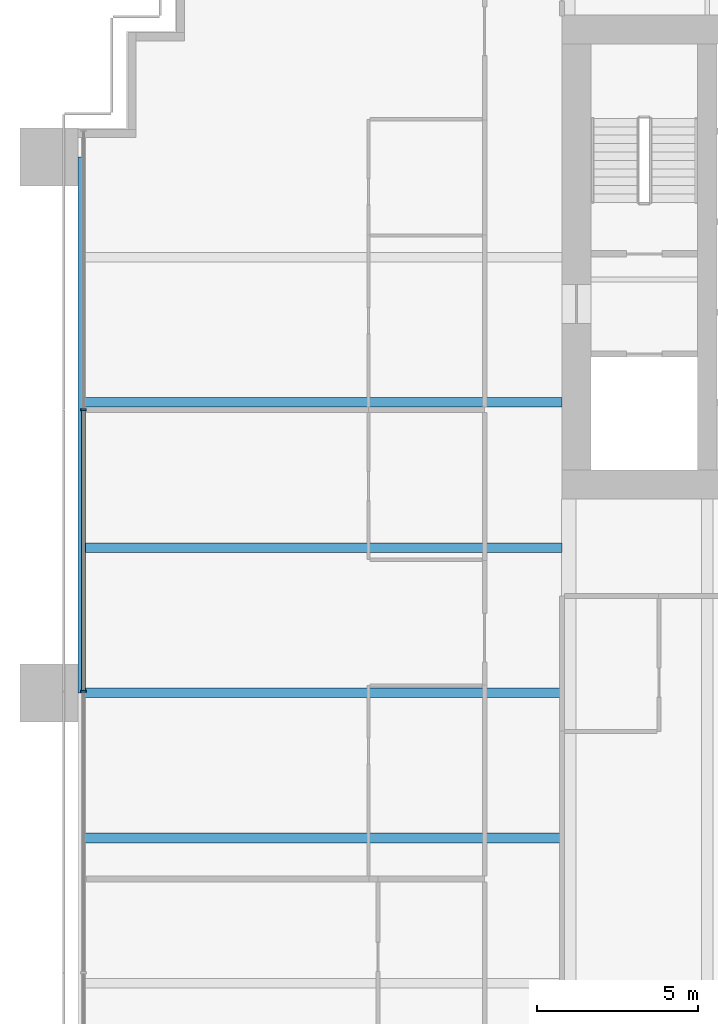
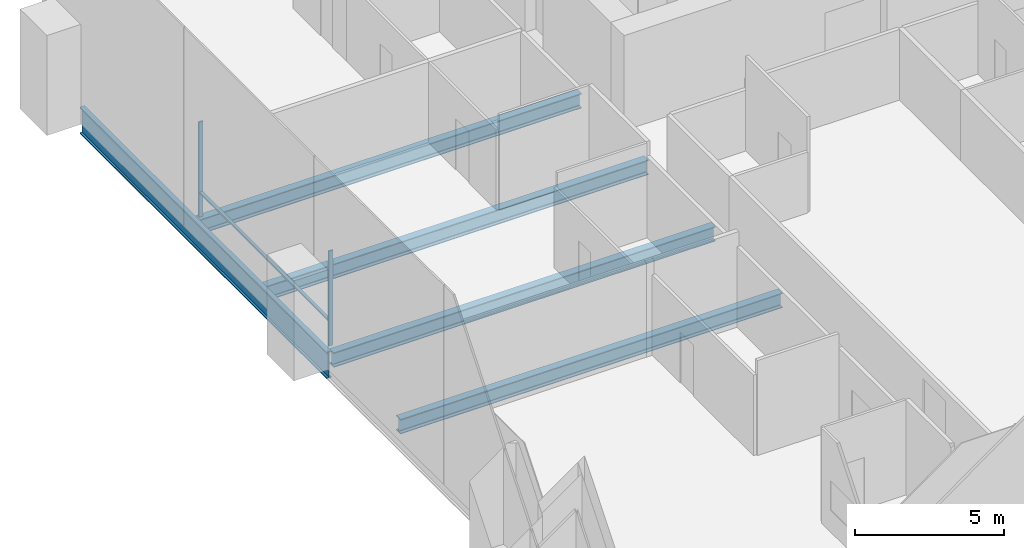
# One storey, part 4 of 18: 5 beams, 3 members, 1 element without a shape of its own.
"""IFC4 building model written with IfcOpenShell, lengths in metres."""

from ifc_helpers import new_model, si_unit, direction, frame, origin, origin_2d, place, context, subcontext, project, spatial, rectangle, i_section, extrude, material, material_profile, profile_set, type_object, element, aggregate, save


model = new_model("IFC4")

# Units and contexts
model_context = context("Model", 3, precision=1e-05, world=origin(), true_north=direction((0.0, 1.0)))
body_context = subcontext(model_context, "Body", "Model", "MODEL_VIEW")
ifc_project = project(units=[si_unit("LENGTHUNIT", "METRE"), si_unit("AREAUNIT", "SQUARE_METRE"), si_unit("VOLUMEUNIT", "CUBIC_METRE"), si_unit("PLANEANGLEUNIT", "RADIAN"), si_unit("MASSUNIT", "GRAM", prefix="KILO")], contexts=[model_context])

# Site, building, storey
site_placement = place(None, origin())
site = spatial("IfcSite", under=ifc_project, at=site_placement, CompositionType="ELEMENT")
building_placement = place(site_placement, origin())
building = spatial("IfcBuilding", under=site, at=building_placement, Name="Rattan Terrace Tower", CompositionType="ELEMENT")
storey_placement = place(building_placement, frame((0.0, 0.0, 57.0)))
storey = spatial("IfcBuildingStorey", under=building, at=storey_placement, Name="L12", CompositionType="ELEMENT", Elevation=57.0)

# Curtain wall, members
ifc_material_1 = material(Name="Aluminium and glass", Category="aluminium")
curtain_wall_type = type_object("IfcCurtainWallType", Name="Facade Unitised Curtain Wall", PredefinedType="NOTDEFINED", material=ifc_material_1)
curtain_wall_placement = place(storey_placement, origin())
curtain_wall = element("IfcCurtainWall", 1, at=curtain_wall_placement, inside=storey, type_object=curtain_wall_type, Name="Curtain wall L12-3", PredefinedType="NOTDEFINED")
ifc_material_2 = material(Name="Aluminium", Category="aluminium")
ifc_material_profile_1 = material_profile(ifc_material_2, rectangle(XDim=0.06005859375, YDim=0.159912109375, at=origin_2d()), Name="Aluminium 60x160")
ifc_profile_set_1 = profile_set([ifc_material_profile_1], Name="Aluminium")
member_type_1 = type_object("IfcMemberType", Name="Facade CW Mullion 60x160", PredefinedType="MULLION", material=ifc_profile_set_1)
member_1_placement = place(storey_placement, frame((-32.830078125, -4.72705078125, 0.0), z_axis=(0.0, 0.0, 1.0), x_axis=(0.0, -1.0, 0.0)))
member_1 = element("IfcMember", 2, at=member_1_placement, type_object=member_type_1, Name="Mullion cwl-L12-003.2", PredefinedType="MULLION", context=body_context, shape_type="SweptSolid", body=[
    extrude(rectangle(XDim=0.06005859375, YDim=0.159912109375, at=origin_2d()), origin(), (0.0, 0.0, 1.0), 3.89990234375),
])
member_2_placement = place(storey_placement, frame((-32.830078125, -13.4541015625, 0.0), z_axis=(0.0, 0.0, 1.0), x_axis=(0.0, -1.0, 0.0)))
member_2 = element("IfcMember", 3, at=member_2_placement, type_object=member_type_1, Name="Mullion cwl-L12-003.3", PredefinedType="MULLION", context=body_context, shape_type="SweptSolid", body=[
    extrude(rectangle(XDim=0.06005859375, YDim=0.159912109375, at=origin_2d()), origin(), (0.0, 0.0, 1.0), 3.89990234375),
])
ifc_material_3 = material(Name="Aluminium", Category="aluminium")
ifc_material_profile_2 = material_profile(ifc_material_3, rectangle(XDim=0.1201171875, YDim=0.06005859375, at=origin_2d()), Name="Aluminium 120x60")
ifc_profile_set_2 = profile_set([ifc_material_profile_2], Name="Aluminium")
member_type_2 = type_object("IfcMemberType", Name="Facade CW Transom 120x60", PredefinedType="USERDEFINED", material=ifc_profile_set_2)
member_3_placement = place(storey_placement, frame((-32.830078125, -4.757080078125, 1.0), z_axis=(0.0, -1.0, 0.0), x_axis=(1.0, 0.0, 0.0)))
member_3 = element("IfcMember", 4, at=member_3_placement, type_object=member_type_2, Name="Transom cwl-L12-003.2", ObjectType="TRANSOM", PredefinedType="USERDEFINED", context=body_context, shape_type="SweptSolid", body=[
    extrude(rectangle(XDim=0.1201171875, YDim=0.06005859375, at=origin_2d()), origin(), (0.0, 0.0, 1.0), 8.6669921875),
])
aggregate(curtain_wall, [member_1, member_2, member_3])

# Beams
ifc_material_4 = material(Name="Steel S460", Category="steel")
ifc_material_profile_3 = material_profile(ifc_material_4, i_section(OverallWidth=0.179931640625, OverallDepth=1.10009765625, WebThickness=0.01611328125, FlangeThickness=0.050048828125, at=origin_2d()), Name="PG 1100x180-16-50")
ifc_profile_set_3 = profile_set([ifc_material_profile_3], Name="Steel S460")
beam_type_1 = type_object("IfcBeamType", Name="Frame edge girder PG 1100x180-16-50", PredefinedType="SPANDREL", material=ifc_profile_set_3)
beam_placement = place(storey_placement, frame((-32.909912109375, 3.10009765625, -0.75), z_axis=(0.0, -1.0, 0.0), x_axis=(1.0, 0.0, 0.0)))
element("IfcBeam", 5, at=beam_placement, inside=storey, type_object=beam_type_1, Name="gdr-L12-008", PredefinedType="SPANDREL", context=body_context, shape_type="SweptSolid", body=[
    extrude(i_section(OverallWidth=0.179931640625, OverallDepth=1.10009765625, WebThickness=0.01611328125, FlangeThickness=0.050048828125, at=origin_2d()), origin(), (0.0, 0.0, 1.0), 16.60009765625),
])
ifc_material_5 = material(Name="Steel S355", Category="steel")
ifc_material_profile_4 = material_profile(ifc_material_5, i_section(OverallWidth=0.300048828125, OverallDepth=0.60009765625, WebThickness=0.015380859375, FlangeThickness=0.030029296875, FilletRadius=0.027099609375, at=origin_2d()), Name="HE 600 B")
ifc_profile_set_4 = profile_set([ifc_material_profile_4], Name="Steel S355")
beam_type_2 = type_object("IfcBeamType", Name="Frame floor beam HE 600 B", PredefinedType="JOIST", material=ifc_profile_set_4)
for number, where, z_axis, x_axis, name in (
    (6, (-32.820068359375, -18.0, -0.5), (1.0, 0.0, 0.0), (0.0, 1.0, 0.0), "bm-L12-014"),
    (7, (-32.820068359375, -13.5, -0.5), (1.0, 0.0, 0.0), (0.0, 1.0, 0.0), "bm-L12-016"),
    (8, (-32.820068359375, -9.0, -0.5), (1.0, 0.0, 0.0), (0.0, 1.0, 0.0), "bm-L12-018"),
    (9, (-32.820068359375, -4.5, -0.5), (1.0, 0.0, 0.0), (0.0, 1.0, 0.0), "bm-L12-020"),
):
    element("IfcBeam", number, at=place(storey_placement, frame(where, z_axis=z_axis, x_axis=x_axis)), inside=storey, type_object=beam_type_2, Name=name, PredefinedType="JOIST", context=body_context, shape_type="SweptSolid", body=[
        extrude(i_section(OverallWidth=0.300048828125, OverallDepth=0.60009765625, WebThickness=0.015380859375, FlangeThickness=0.030029296875, FilletRadius=0.027099609375, at=origin_2d()), origin(), (0.0, 0.0, 1.0), 14.820068359375),
    ])

save(model, "model.ifc")
